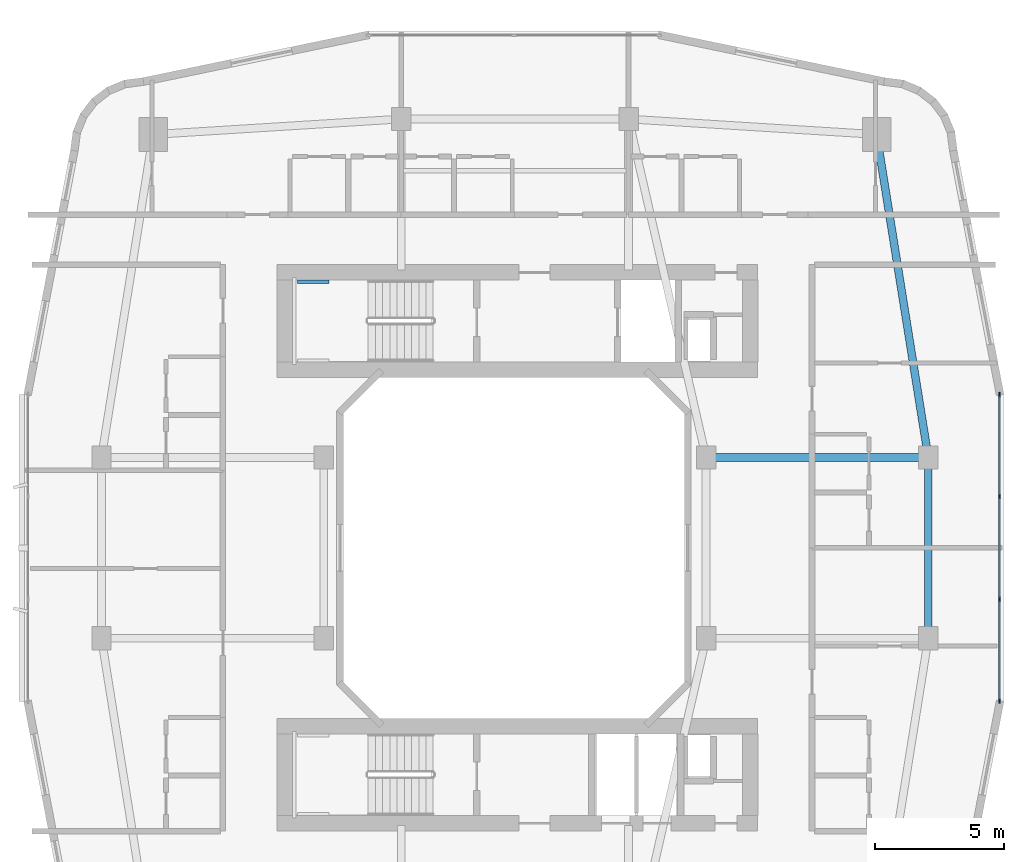
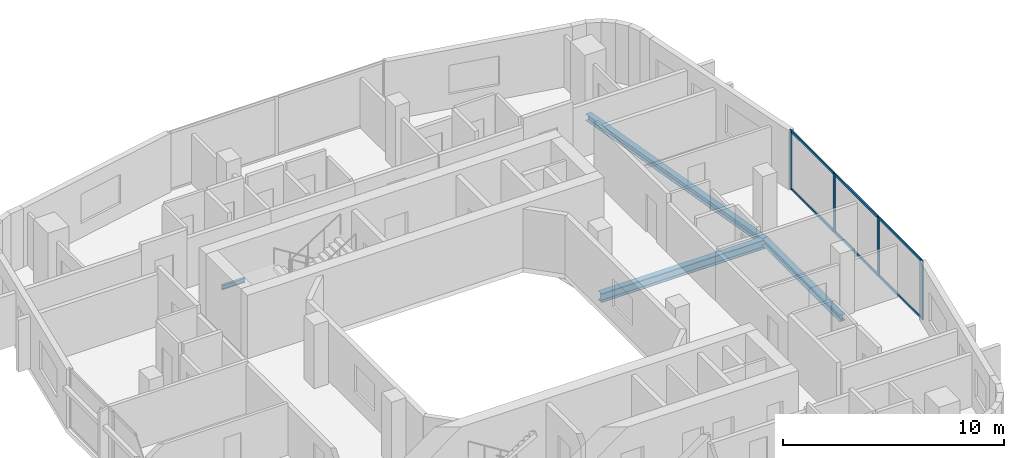
# One storey, part 10 of 27: 10 members, 4 beams, 1 element without a shape of its own.
"""IFC4 building model written with IfcOpenShell, lengths in metres."""

from ifc_helpers import new_model, si_unit, derived_unit, direction, frame, origin, origin_2d, place, context, subcontext, project, spatial, rectangle, i_section, extrude, material, layer, layer_set, material_profile, profile_set, type_object, element, aggregate, save


model = new_model("IFC4")

# Units and contexts
model_context = context("Model", 3, precision=1e-05, world=origin(), true_north=direction((0.0, 1.0)))
body_context = subcontext(model_context, "Body", "Model", "MODEL_VIEW")
ifc_project = project(units=[si_unit("LENGTHUNIT", "METRE"), si_unit("AREAUNIT", "SQUARE_METRE"), si_unit("VOLUMEUNIT", "CUBIC_METRE"), si_unit("PLANEANGLEUNIT", "RADIAN"), si_unit("MASSUNIT", "GRAM", prefix="KILO"), derived_unit("THERMALTRANSMITTANCEUNIT", [(si_unit("POWERUNIT", "WATT"), 1), (si_unit("LENGTHUNIT", "METRE"), -2), (si_unit("THERMODYNAMICTEMPERATUREUNIT", "KELVIN"), -1)])], contexts=[model_context])

# Site, building, storey
site_placement = place(None, origin())
site = spatial("IfcSite", under=ifc_project, at=site_placement, CompositionType="ELEMENT")
building_placement = place(site_placement, origin())
building = spatial("IfcBuilding", under=site, at=building_placement, Name="Kivonza Crest Hotel", CompositionType="ELEMENT")
storey_placement = place(building_placement, frame((0.0, 0.0, 34.5)))
storey = spatial("IfcBuildingStorey", under=building, at=storey_placement, Name="L08", CompositionType="ELEMENT", Elevation=34.5)

# Beams
ifc_material_1 = material(Name="Steel S355", Category="steel")
ifc_material_profile_1 = material_profile(ifc_material_1, i_section(OverallWidth=0.300048828125, OverallDepth=0.360107421875, WebThickness=0.012451171875, FlangeThickness=0.0224609375, FilletRadius=0.027099609375, at=origin_2d()), Name="HEB 360")
ifc_profile_set_1 = profile_set([ifc_material_profile_1], Name="Steel S355")
beam_type_1 = type_object("IfcBeamType", Name="BM-HEB360", PredefinedType="SPANDREL", material=ifc_profile_set_1)
beam_1_placement = place(storey_placement, frame((93.0, 21.5, -0.429931640625), z_axis=(0.0, 1.0, 0.0), x_axis=(-1.0, 0.0, 0.0)))
element("IfcBeam", 1, at=beam_1_placement, inside=storey, type_object=beam_type_1, Name="Companion Tower T2 L08 perimeter spandrel E1-E2", PredefinedType="SPANDREL", context=body_context, shape_type="SweptSolid", body=[
    extrude(i_section(OverallWidth=0.300048828125, OverallDepth=0.360107421875, WebThickness=0.012451171875, FlangeThickness=0.0224609375, FilletRadius=0.027099609375, at=origin_2d()), origin(), (0.0, 0.0, 1.0), 7.0),
])
beam_2_placement = place(storey_placement, frame((93.0, 28.5, -0.429931640625), z_axis=(-0.157990501107, 0.987440631917, 0.0), x_axis=(-0.987440631917, -0.157990501107, 0.0)))
element("IfcBeam", 2, at=beam_2_placement, inside=storey, type_object=beam_type_1, Name="Companion Tower T2 L08 perimeter spandrel E2-NE", PredefinedType="SPANDREL", context=body_context, shape_type="SweptSolid", body=[
    extrude(i_section(OverallWidth=0.300048828125, OverallDepth=0.360107421875, WebThickness=0.012451171875, FlangeThickness=0.0224609375, FilletRadius=0.027099609375, at=origin_2d()), origin(), (0.0, 0.0, 1.0), 12.658935546875),
])
ifc_material_profile_2 = material_profile(ifc_material_1, i_section(OverallWidth=0.300048828125, OverallDepth=0.5, WebThickness=0.014404296875, FlangeThickness=0.028076171875, FilletRadius=0.027099609375, at=origin_2d()), Name="HEB 500")
ifc_profile_set_2 = profile_set([ifc_material_profile_2], Name="Steel S355")
beam_type_2 = type_object("IfcBeamType", Name="BM-HEB500", PredefinedType="BEAM", material=ifc_profile_set_2)
beam_3_placement = place(storey_placement, frame((84.39990234375, 28.5, -0.5), z_axis=(1.0, 0.0, 0.0), x_axis=(0.0, 1.0, 0.0)))
element("IfcBeam", 3, at=beam_3_placement, inside=storey, type_object=beam_type_2, Name="Companion Tower T2 L08 girder WR2-E2", PredefinedType="BEAM", context=body_context, shape_type="SweptSolid", body=[
    extrude(i_section(OverallWidth=0.300048828125, OverallDepth=0.5, WebThickness=0.014404296875, FlangeThickness=0.028076171875, FilletRadius=0.027099609375, at=origin_2d()), origin(), (0.0, 0.0, 1.0), 8.60009765625),
])
ifc_material_profile_3 = material_profile(ifc_material_1, i_section(OverallWidth=0.1201171875, OverallDepth=0.239990234375, WebThickness=0.006103515625, FlangeThickness=0.009765625, FilletRadius=0.014892578125, at=origin_2d()), Name="IPE 240")
ifc_profile_set_3 = profile_set([ifc_material_profile_3], Name="Steel S355")
beam_type_3 = type_object("IfcBeamType", Name="BM-LLDG-240", PredefinedType="BEAM", material=ifc_profile_set_3)
beam_4_placement = place(storey_placement, frame((68.590087890625, 35.300048828125, 1.429931640625), z_axis=(1.0, 0.0, 0.0), x_axis=(0.0, 1.0, 0.0)))
element("IfcBeam", 4, at=beam_4_placement, inside=storey, type_object=beam_type_3, Name="Stair ST-T2-N L08 North landing corbel", PredefinedType="BEAM", context=body_context, shape_type="SweptSolid", body=[
    extrude(i_section(OverallWidth=0.1201171875, OverallDepth=0.239990234375, WebThickness=0.006103515625, FlangeThickness=0.009765625, FilletRadius=0.014892578125, at=origin_2d()), origin(), (0.0, 0.0, 1.0), 1.2099609375),
])

# Curtain wall, members
ifc_material_2 = material(Name="Anodised bronze aluminium and low-E double glazing", Category="aluminium")
ifc_layer = layer(ifc_material_2, 0.179931640625)
ifc_layer_set = layer_set([ifc_layer], Name="Anodised bronze aluminium and low-E double glazing")
curtain_wall_type = type_object("IfcCurtainWallType", Name="CW-SYS-4", PredefinedType="NOTDEFINED", material=ifc_layer_set)
curtain_wall_placement = place(storey_placement, origin())
curtain_wall = element("IfcCurtainWall", 5, at=curtain_wall_placement, inside=storey, type_object=curtain_wall_type, Name="L08 unitised curtain wall CW-T2-L08-17", PredefinedType="NOTDEFINED")
ifc_material_3 = material(Name="Anodised bronze aluminium", Category="aluminium")
ifc_material_profile_4 = material_profile(ifc_material_3, rectangle(XDim=0.06494140625, YDim=0.179931640625, at=origin_2d()), Name="CW-M 65x180")
ifc_profile_set_4 = profile_set([ifc_material_profile_4], Name="Anodised bronze aluminium")
member_type_1 = type_object("IfcMemberType", Name="CW-MUL-65x180", PredefinedType="MULLION", material=ifc_profile_set_4)
member_1_placement = place(storey_placement, frame((95.760009765625, 19.072509765625, 0.0), z_axis=(0.0, 0.0, 1.0), x_axis=(-1.0, 0.0, 0.0)))
member_1 = element("IfcMember", 6, at=member_1_placement, type_object=member_type_1, Name="CW-4 mullion 1", PredefinedType="MULLION", context=body_context, shape_type="SweptSolid", body=[
    extrude(rectangle(XDim=0.06494140625, YDim=0.179931640625, at=origin_2d()), origin(), (0.0, 0.0, 1.0), 3.25),
])
member_2_placement = place(storey_placement, frame((95.760009765625, 23.013427734375, 0.0), z_axis=(0.0, 0.0, 1.0), x_axis=(-1.0, 0.0, 0.0)))
member_2 = element("IfcMember", 7, at=member_2_placement, type_object=member_type_1, Name="CW-4 mullion 2", PredefinedType="MULLION", context=body_context, shape_type="SweptSolid", body=[
    extrude(rectangle(XDim=0.06494140625, YDim=0.179931640625, at=origin_2d()), origin(), (0.0, 0.0, 1.0), 3.25),
])
member_3_placement = place(storey_placement, frame((95.760009765625, 26.986572265625, 0.0), z_axis=(0.0, 0.0, 1.0), x_axis=(-1.0, 0.0, 0.0)))
member_3 = element("IfcMember", 8, at=member_3_placement, type_object=member_type_1, Name="CW-4 mullion 3", PredefinedType="MULLION", context=body_context, shape_type="SweptSolid", body=[
    extrude(rectangle(XDim=0.06494140625, YDim=0.179931640625, at=origin_2d()), origin(), (0.0, 0.0, 1.0), 3.25),
])
member_4_placement = place(storey_placement, frame((95.760009765625, 30.927490234375, 0.0), z_axis=(0.0, 0.0, 1.0), x_axis=(-1.0, 0.0, 0.0)))
member_4 = element("IfcMember", 9, at=member_4_placement, type_object=member_type_1, Name="CW-4 mullion 4", PredefinedType="MULLION", context=body_context, shape_type="SweptSolid", body=[
    extrude(rectangle(XDim=0.06494140625, YDim=0.179931640625, at=origin_2d()), origin(), (0.0, 0.0, 1.0), 3.25),
])
ifc_material_profile_5 = material_profile(ifc_material_3, rectangle(XDim=0.06494140625, YDim=0.139892578125, at=origin_2d()), Name="CW-T 65x140")
ifc_profile_set_5 = profile_set([ifc_material_profile_5], Name="Anodised bronze aluminium")
member_type_2 = type_object("IfcMemberType", Name="CW-TRN-65x140", PredefinedType="USERDEFINED", material=ifc_profile_set_5)
member_5_placement = place(storey_placement, frame((95.760009765625, 19.10498046875, 0.032470703125), z_axis=(0.0, 1.0, 0.0), x_axis=(-1.0, 0.0, 0.0)))
member_5 = element("IfcMember", 10, at=member_5_placement, type_object=member_type_2, Name="CW-4 transom 1.1", ObjectType="TRANSOM", PredefinedType="USERDEFINED", context=body_context, shape_type="SweptSolid", body=[
    extrude(rectangle(XDim=0.06494140625, YDim=0.139892578125, at=origin_2d()), origin(), (0.0, 0.0, 1.0), 3.875732421875),
])
member_6_placement = place(storey_placement, frame((95.760009765625, 19.10498046875, 3.217529296875), z_axis=(0.0, 1.0, 0.0), x_axis=(-1.0, 0.0, 0.0)))
member_6 = element("IfcMember", 11, at=member_6_placement, type_object=member_type_2, Name="CW-4 transom 1.2", ObjectType="TRANSOM", PredefinedType="USERDEFINED", context=body_context, shape_type="SweptSolid", body=[
    extrude(rectangle(XDim=0.06494140625, YDim=0.139892578125, at=origin_2d()), origin(), (0.0, 0.0, 1.0), 3.875732421875),
])
member_7_placement = place(storey_placement, frame((95.760009765625, 23.0458984375, 0.032470703125), z_axis=(0.0, 1.0, 0.0), x_axis=(-1.0, 0.0, 0.0)))
member_7 = element("IfcMember", 12, at=member_7_placement, type_object=member_type_2, Name="CW-4 transom 2.1", ObjectType="TRANSOM", PredefinedType="USERDEFINED", context=body_context, shape_type="SweptSolid", body=[
    extrude(rectangle(XDim=0.06494140625, YDim=0.139892578125, at=origin_2d()), origin(), (0.0, 0.0, 1.0), 3.908203125),
])
member_8_placement = place(storey_placement, frame((95.760009765625, 23.0458984375, 3.217529296875), z_axis=(0.0, 1.0, 0.0), x_axis=(-1.0, 0.0, 0.0)))
member_8 = element("IfcMember", 13, at=member_8_placement, type_object=member_type_2, Name="CW-4 transom 2.2", ObjectType="TRANSOM", PredefinedType="USERDEFINED", context=body_context, shape_type="SweptSolid", body=[
    extrude(rectangle(XDim=0.06494140625, YDim=0.139892578125, at=origin_2d()), origin(), (0.0, 0.0, 1.0), 3.908203125),
])
member_9_placement = place(storey_placement, frame((95.760009765625, 27.019287109375, 0.032470703125), z_axis=(0.0, 1.0, 0.0), x_axis=(-1.0, 0.0, 0.0)))
member_9 = element("IfcMember", 14, at=member_9_placement, type_object=member_type_2, Name="CW-4 transom 3.1", ObjectType="TRANSOM", PredefinedType="USERDEFINED", context=body_context, shape_type="SweptSolid", body=[
    extrude(rectangle(XDim=0.06494140625, YDim=0.139892578125, at=origin_2d()), origin(), (0.0, 0.0, 1.0), 3.875732421875),
])
member_10_placement = place(storey_placement, frame((95.760009765625, 27.019287109375, 3.217529296875), z_axis=(0.0, 1.0, 0.0), x_axis=(-1.0, 0.0, 0.0)))
member_10 = element("IfcMember", 15, at=member_10_placement, type_object=member_type_2, Name="CW-4 transom 3.2", ObjectType="TRANSOM", PredefinedType="USERDEFINED", context=body_context, shape_type="SweptSolid", body=[
    extrude(rectangle(XDim=0.06494140625, YDim=0.139892578125, at=origin_2d()), origin(), (0.0, 0.0, 1.0), 3.875732421875),
])
aggregate(curtain_wall, [member_1, member_2, member_3, member_4, member_5, member_6, member_7, member_8, member_9, member_10])

save(model, "model.ifc")
